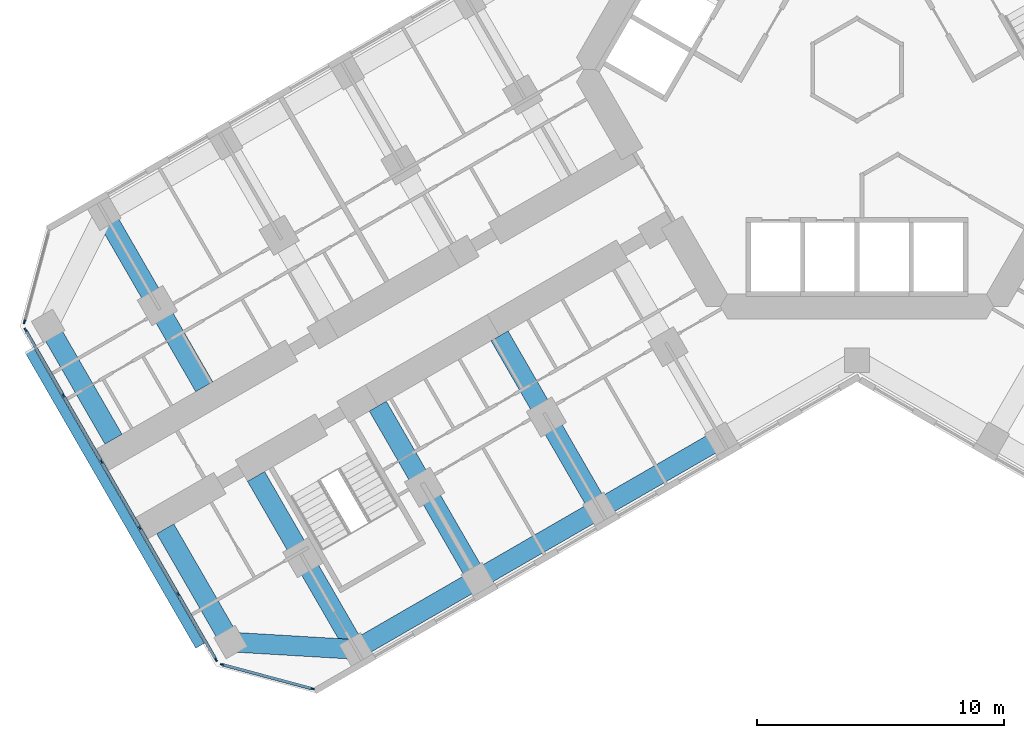
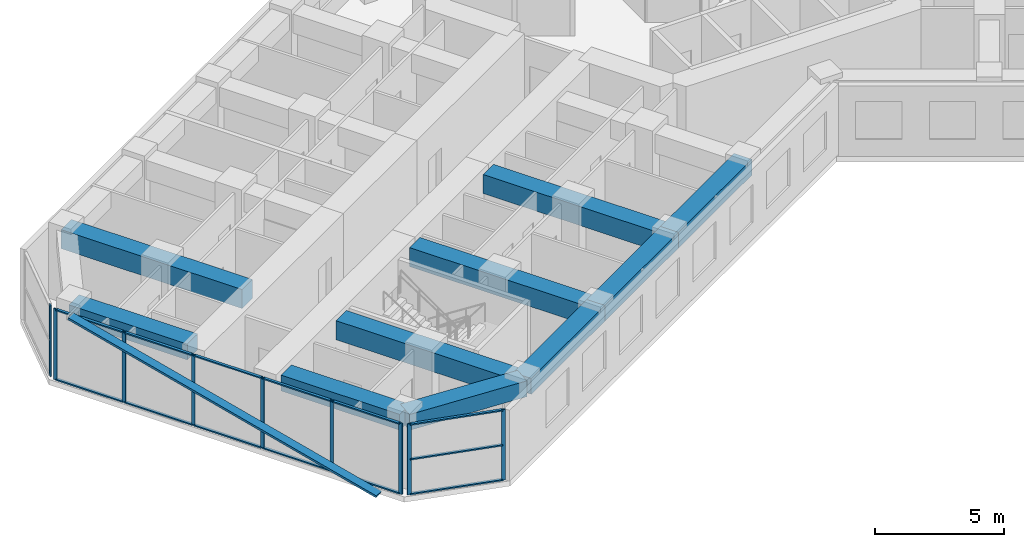
# One storey, part 2 of 21: 23 members, 10 beams, 3 elements without a shape of their own.
"""IFC4 building model written with IfcOpenShell, lengths in metres."""

from ifc_helpers import new_model, si_unit, direction, frame, origin, origin_2d, place, context, subcontext, project, spatial, rectangle, extrude, material, material_profile, profile_set, type_object, element, aggregate, save


model = new_model("IFC4")

# Units and contexts
model_context = context("Model", 3, precision=1e-05, world=origin(), true_north=direction((0.0, 1.0)))
body_context = subcontext(model_context, "Body", "Model", "MODEL_VIEW")
ifc_project = project(units=[si_unit("LENGTHUNIT", "METRE"), si_unit("AREAUNIT", "SQUARE_METRE"), si_unit("VOLUMEUNIT", "CUBIC_METRE"), si_unit("PLANEANGLEUNIT", "RADIAN"), si_unit("MASSUNIT", "GRAM", prefix="KILO")], contexts=[model_context])

# Site, building, storey
site_placement = place(None, origin())
site = spatial("IfcSite", under=ifc_project, at=site_placement, CompositionType="ELEMENT")
building_placement = place(site_placement, origin())
building = spatial("IfcBuilding", under=site, at=building_placement, Name="Kosmar Iwan School Tower", CompositionType="ELEMENT")
storey_placement = place(building_placement, frame((0.0, 0.0, 64.60009765625)))
storey = spatial("IfcBuildingStorey", under=building, at=storey_placement, Name="L15", CompositionType="ELEMENT", Elevation=64.60009765625)

# Member
ifc_material_1 = material(Name="Black anodised aluminium", Category="aluminium")
ifc_material_profile_1 = material_profile(ifc_material_1, rectangle(XDim=0.10009765625, YDim=0.39990234375, at=origin_2d()), Name="FIN 100x400")
ifc_profile_set_1 = profile_set([ifc_material_profile_1], Name="Black anodised aluminium")
member_type_1 = type_object("IfcMemberType", Name="Diagonal fin 100x400", PredefinedType="USERDEFINED", material=ifc_profile_set_1)
member_1_placement = place(storey_placement, frame((-26.645263671875, -23.34912109375, -0.150146484375), z_axis=(-0.483793446988, 0.837970316603, 0.25248692866), x_axis=(0.126241714543, -0.218661104574, 0.96760030532)))
element("IfcMember", 1, at=member_1_placement, inside=storey, type_object=member_type_1, Name="Diagonal fin L15-F13", ObjectType="FIN", PredefinedType="USERDEFINED", context=body_context, shape_type="SweptSolid", body=[
    extrude(rectangle(XDim=0.10009765625, YDim=0.39990234375, at=origin_2d()), origin(), (0.0, 0.0, 1.0), 14.258544921875),
])

# Curtain wall, member
ifc_material_2 = material(Name="Dark glass in black aluminium frame", Category="aluminium")
curtain_wall_type_1 = type_object("IfcCurtainWallType", Name="Chamfer curtain wall dark glass", PredefinedType="USERDEFINED", material=ifc_material_2)
curtain_wall_1_placement = place(storey_placement, origin())
curtain_wall_1 = element("IfcCurtainWall", 2, at=curtain_wall_1_placement, inside=storey, type_object=curtain_wall_type_1, Name="Curtain wall L15-F12", ObjectType="FACETED CURTAIN WALL", PredefinedType="USERDEFINED")
ifc_material_3 = material(Name="Black anodised aluminium", Category="aluminium")
ifc_material_profile_2 = material_profile(ifc_material_3, rectangle(XDim=0.06005859375, YDim=0.159912109375, at=origin_2d()), Name="MULLION 60x160")
ifc_profile_set_2 = profile_set([ifc_material_profile_2], Name="Black anodised aluminium")
member_type_2 = type_object("IfcMemberType", Name="Mullion 60x160", PredefinedType="MULLION", material=ifc_profile_set_2)
member_2_placement = place(storey_placement, frame((-33.7587890625, -10.2236328125, 0.0), z_axis=(0.0, 0.0, 1.0), x_axis=(0.965925875495, -0.258818861462, 0.0)))
member_2 = element("IfcMember", 3, at=member_2_placement, type_object=member_type_2, Name="CW2 mullion 2", PredefinedType="MULLION", context=body_context, shape_type="SweptSolid", body=[
    extrude(rectangle(XDim=0.06005859375, YDim=0.159912109375, at=origin_2d()), origin(), (0.0, 0.0, 1.0), 3.349853515625),
])
aggregate(curtain_wall_1, [member_2])

# Curtain wall, members
ifc_material_4 = material(Name="Dark glass in black aluminium frame", Category="aluminium")
curtain_wall_type_2 = type_object("IfcCurtainWallType", Name="Tower curtain wall dark glass", PredefinedType="USERDEFINED", material=ifc_material_4)
curtain_wall_2_placement = place(storey_placement, origin())
curtain_wall_2 = element("IfcCurtainWall", 4, at=curtain_wall_2_placement, inside=storey, type_object=curtain_wall_type_2, Name="Curtain wall L15-F13", ObjectType="UNITISED CURTAIN WALL", PredefinedType="USERDEFINED")
member_3_placement = place(storey_placement, frame((-33.71533203125, -10.55322265625, 0.0), z_axis=(0.0, 0.0, 1.0), x_axis=(0.866025405329, 0.499999997325, 0.0)))
member_3 = element("IfcMember", 5, at=member_3_placement, type_object=member_type_2, Name="CW1 mullion 1", PredefinedType="MULLION", context=body_context, shape_type="SweptSolid", body=[
    extrude(rectangle(XDim=0.06005859375, YDim=0.159912109375, at=origin_2d()), origin(), (0.0, 0.0, 1.0), 3.349853515625),
])
member_4_placement = place(storey_placement, frame((-32.1806640625, -13.21142578125, 0.0), z_axis=(0.0, 0.0, 1.0), x_axis=(0.866025405329, 0.499999997325, 0.0)))
member_4 = element("IfcMember", 6, at=member_4_placement, type_object=member_type_2, Name="CW1 mullion 2", PredefinedType="MULLION", context=body_context, shape_type="SweptSolid", body=[
    extrude(rectangle(XDim=0.06005859375, YDim=0.159912109375, at=origin_2d()), origin(), (0.0, 0.0, 1.0), 3.349853515625),
])
member_5_placement = place(storey_placement, frame((-30.631103515625, -15.8955078125, 0.0), z_axis=(0.0, 0.0, 1.0), x_axis=(0.866025405329, 0.499999997325, 0.0)))
member_5 = element("IfcMember", 7, at=member_5_placement, type_object=member_type_2, Name="CW1 mullion 3", PredefinedType="MULLION", context=body_context, shape_type="SweptSolid", body=[
    extrude(rectangle(XDim=0.06005859375, YDim=0.159912109375, at=origin_2d()), origin(), (0.0, 0.0, 1.0), 3.349853515625),
])
member_6_placement = place(storey_placement, frame((-29.081298828125, -18.57958984375, 0.0), z_axis=(0.0, 0.0, 1.0), x_axis=(0.866025405329, 0.499999997325, 0.0)))
member_6 = element("IfcMember", 8, at=member_6_placement, type_object=member_type_2, Name="CW1 mullion 4", PredefinedType="MULLION", context=body_context, shape_type="SweptSolid", body=[
    extrude(rectangle(XDim=0.06005859375, YDim=0.159912109375, at=origin_2d()), origin(), (0.0, 0.0, 1.0), 3.349853515625),
])
member_7_placement = place(storey_placement, frame((-27.53173828125, -21.263671875, 0.0), z_axis=(0.0, 0.0, 1.0), x_axis=(0.866025405329, 0.499999997325, 0.0)))
member_7 = element("IfcMember", 9, at=member_7_placement, type_object=member_type_2, Name="CW1 mullion 5", PredefinedType="MULLION", context=body_context, shape_type="SweptSolid", body=[
    extrude(rectangle(XDim=0.06005859375, YDim=0.159912109375, at=origin_2d()), origin(), (0.0, 0.0, 1.0), 3.349853515625),
])
member_8_placement = place(storey_placement, frame((-25.9970703125, -23.921630859375, 0.0), z_axis=(0.0, 0.0, 1.0), x_axis=(0.866025405329, 0.499999997325, 0.0)))
member_8 = element("IfcMember", 10, at=member_8_placement, type_object=member_type_2, Name="CW1 mullion 6", PredefinedType="MULLION", context=body_context, shape_type="SweptSolid", body=[
    extrude(rectangle(XDim=0.06005859375, YDim=0.159912109375, at=origin_2d()), origin(), (0.0, 0.0, 1.0), 3.349853515625),
])

curtain_wall_3_placement = place(storey_placement, origin())
curtain_wall_3 = element("IfcCurtainWall", 11, at=curtain_wall_3_placement, inside=storey, type_object=curtain_wall_type_1, Name="Curtain wall L15-F14", ObjectType="FACETED CURTAIN WALL", PredefinedType="USERDEFINED")
member_9_placement = place(storey_placement, frame((-25.733154296875, -24.124267578125, 0.0), z_axis=(0.0, 0.0, 1.0), x_axis=(0.258818861462, 0.965925875495, 0.0)))
member_9 = element("IfcMember", 12, at=member_9_placement, type_object=member_type_2, Name="CW2 mullion 1", PredefinedType="MULLION", context=body_context, shape_type="SweptSolid", body=[
    extrude(rectangle(XDim=0.06005859375, YDim=0.159912109375, at=origin_2d()), origin(), (0.0, 0.0, 1.0), 3.349853515625),
])
member_10_placement = place(storey_placement, frame((-22.0830078125, -25.102294921875, 0.0), z_axis=(0.0, 0.0, 1.0), x_axis=(0.258818861462, 0.965925875495, 0.0)))
member_10 = element("IfcMember", 13, at=member_10_placement, type_object=member_type_2, Name="CW2 mullion 2", PredefinedType="MULLION", context=body_context, shape_type="SweptSolid", body=[
    extrude(rectangle(XDim=0.06005859375, YDim=0.159912109375, at=origin_2d()), origin(), (0.0, 0.0, 1.0), 3.349853515625),
])

# Beams
ifc_material_5 = material(Name="Concrete C50/60", Category="concrete")
ifc_material_profile_3 = material_profile(ifc_material_5, rectangle(XDim=0.800048828125, YDim=0.75, at=origin_2d()), Name="RC 800x750")
ifc_profile_set_3 = profile_set([ifc_material_profile_3], Name="Concrete C50/60")
beam_type_1 = type_object("IfcBeamType", Name="RC edge beam 800x750", PredefinedType="BEAM", material=ifc_profile_set_3)
beam_1_placement = place(storey_placement, frame((-5.5087890625, -14.95849609375, 2.974853515625), z_axis=(-0.866033658841, -0.49998570155, 0.0), x_axis=(0.49998570155, -0.866033658841, 0.0)))
element("IfcBeam", 14, at=beam_1_placement, inside=storey, type_object=beam_type_1, Name="Edge beam BL2", PredefinedType="BEAM", context=body_context, shape_type="SweptSolid", body=[
    extrude(rectangle(XDim=0.800048828125, YDim=0.75, at=origin_2d()), origin(), (0.0, 0.0, 1.0), 5.699951171875),
])
beam_2_placement = place(storey_placement, frame((-10.445068359375, -17.808349609375, 2.974853515625), z_axis=(-0.866025820012, -0.499999279071, 0.0), x_axis=(0.499999279071, -0.866025820012, 0.0)))
element("IfcBeam", 15, at=beam_2_placement, inside=storey, type_object=beam_type_1, Name="Edge beam BL3", PredefinedType="BEAM", context=body_context, shape_type="SweptSolid", body=[
    extrude(rectangle(XDim=0.800048828125, YDim=0.75, at=origin_2d()), origin(), (0.0, 0.0, 1.0), 5.7001953125),
])
beam_3_placement = place(storey_placement, frame((-15.381591796875, -20.658447265625, 2.974853515625), z_axis=(-0.866015111908, -0.50001782563, 0.0), x_axis=(0.50001782563, -0.866015111908, 0.0)))
element("IfcBeam", 16, at=beam_3_placement, inside=storey, type_object=beam_type_1, Name="Edge beam BL4", PredefinedType="BEAM", context=body_context, shape_type="SweptSolid", body=[
    extrude(rectangle(XDim=0.800048828125, YDim=0.75, at=origin_2d()), origin(), (0.0, 0.0, 1.0), 5.699951171875),
])
ifc_material_6 = material(Name="Concrete C50/60", Category="concrete")
ifc_material_profile_4 = material_profile(ifc_material_6, rectangle(XDim=0.800048828125, YDim=0.75, at=origin_2d()), Name="RC 800x750")
ifc_profile_set_4 = profile_set([ifc_material_profile_4], Name="Concrete C50/60")
beam_type_2 = type_object("IfcBeamType", Name="RC tip beam 800x750", PredefinedType="BEAM", material=ifc_profile_set_4)
beam_4_placement = place(storey_placement, frame((-20.31787109375, -23.508544921875, 2.974853515625), z_axis=(-0.998260616478, 0.058955420358, 0.0), x_axis=(-0.058955420358, -0.998260616478, 0.0)))
element("IfcBeam", 17, at=beam_4_placement, inside=storey, type_object=beam_type_2, Name="Tip beam BL", PredefinedType="BEAM", context=body_context, shape_type="SweptSolid", body=[
    extrude(rectangle(XDim=0.800048828125, YDim=0.75, at=origin_2d()), origin(), (0.0, 0.0, 1.0), 5.08935546875),
])
beam_5_placement = place(storey_placement, frame((-25.3984375, -23.20849609375, 2.974853515625), z_axis=(-0.499993606316, 0.866029095148, 0.0), x_axis=(-0.866029095148, -0.499993606316, 0.0)))
element("IfcBeam", 18, at=beam_5_placement, inside=storey, type_object=beam_type_2, Name="Tip beam BL to corridor wall", PredefinedType="BEAM", context=body_context, shape_type="SweptSolid", body=[
    extrude(rectangle(XDim=0.800048828125, YDim=0.75, at=origin_2d()), origin(), (0.0, 0.0, 1.0), 5.2998046875),
])
beam_6_placement = place(storey_placement, frame((-32.79833984375, -10.391357421875, 2.974853515625), z_axis=(0.499973660256, -0.866040610509, 0.0), x_axis=(0.866040610509, 0.499973660256, 0.0)))
element("IfcBeam", 19, at=beam_6_placement, inside=storey, type_object=beam_type_2, Name="Tip beam BR to corridor wall", PredefinedType="BEAM", context=body_context, shape_type="SweptSolid", body=[
    extrude(rectangle(XDim=0.800048828125, YDim=0.75, at=origin_2d()), origin(), (0.0, 0.0, 1.0), 5.300048828125),
])
ifc_material_7 = material(Name="Concrete C50/60", Category="concrete")
ifc_material_profile_5 = material_profile(ifc_material_7, rectangle(XDim=0.800048828125, YDim=0.89990234375, at=origin_2d()), Name="RC 800x900")
ifc_profile_set_5 = profile_set([ifc_material_profile_5], Name="Concrete C50/60")
beam_type_3 = type_object("IfcBeamType", Name="RC transverse beam 800x900", PredefinedType="BEAM", material=ifc_profile_set_5)
beam_7_placement = place(storey_placement, frame((-10.445068359375, -17.808349609375, 2.89990234375), z_axis=(-0.500012932018, 0.866017937352, 0.0), x_axis=(-0.866017937352, -0.500012932018, 0.0)))
element("IfcBeam", 20, at=beam_7_placement, inside=storey, type_object=beam_type_3, Name="Transverse beam BL2", PredefinedType="BEAM", context=body_context, shape_type="SweptSolid", body=[
    extrude(rectangle(XDim=0.800048828125, YDim=0.89990234375, at=origin_2d()), origin(), (0.0, 0.0, 1.0), 8.099853515625),
])
for number, where, z_axis, x_axis, name in (
    (21, (-15.381591796875, -20.658447265625, 2.89990234375), (-0.499977274689, 0.866038523851, 0.0), (-0.866038523851, -0.499977274689, 0.0), "Transverse beam BL3"),
    (22, (-20.31787109375, -23.508544921875, 2.89990234375), (-0.499999880539, 0.866025472755, 0.0), (-0.866025472755, -0.499999880539, 0.0), "Transverse beam BL4"),
    (23, (-30.517822265625, -5.841552734375, 2.89990234375), (0.499999880539, -0.866025472755, 0.0), (0.866025472755, 0.499999880539, 0.0), "Transverse beam BR4"),
):
    element("IfcBeam", number, at=place(storey_placement, frame(where, z_axis=z_axis, x_axis=x_axis)), inside=storey, type_object=beam_type_3, Name=name, PredefinedType="BEAM", context=body_context, shape_type="SweptSolid", body=[
        extrude(rectangle(XDim=0.800048828125, YDim=0.89990234375, at=origin_2d()), origin(), (0.0, 0.0, 1.0), 8.10009765625),
    ])

# Member
ifc_material_8 = material(Name="Black anodised aluminium", Category="aluminium")
ifc_material_profile_6 = material_profile(ifc_material_8, rectangle(XDim=0.1201171875, YDim=0.06005859375, at=origin_2d()), Name="TRANSOM 60x120")
ifc_profile_set_6 = profile_set([ifc_material_profile_6], Name="Black anodised aluminium")
member_type_3 = type_object("IfcMemberType", Name="Transom 60x120", PredefinedType="USERDEFINED", material=ifc_profile_set_6)
member_11_placement = place(storey_placement, frame((-33.700439453125, -10.579345703125, 0.02978515625), z_axis=(0.500022102064, -0.866012642776, 0.0), x_axis=(0.866012642776, 0.500022102064, 0.0)))
member_11 = element("IfcMember", 24, at=member_11_placement, type_object=member_type_3, Name="CW1 transom 1.1", ObjectType="TRANSOM", PredefinedType="USERDEFINED", context=body_context, shape_type="SweptSolid", body=[
    extrude(rectangle(XDim=0.1201171875, YDim=0.06005859375, at=origin_2d()), origin(), (0.0, 0.0, 1.0), 3.009033203125),
])

member_12_placement = place(storey_placement, frame((-33.700439453125, -10.579345703125, 3.31982421875), z_axis=(0.500022102064, -0.866012642776, 0.0), x_axis=(0.866012642776, 0.500022102064, 0.0)))
member_12 = element("IfcMember", 25, at=member_12_placement, type_object=member_type_3, Name="CW1 transom 1.2", ObjectType="TRANSOM", PredefinedType="USERDEFINED", context=body_context, shape_type="SweptSolid", body=[
    extrude(rectangle(XDim=0.1201171875, YDim=0.06005859375, at=origin_2d()), origin(), (0.0, 0.0, 1.0), 3.009033203125),
])

member_13_placement = place(storey_placement, frame((-32.165771484375, -13.2373046875, 0.02978515625), z_axis=(0.500035348339, -0.866004994449, 0.0), x_axis=(0.866004994449, 0.500035348339, 0.0)))
member_13 = element("IfcMember", 26, at=member_13_placement, type_object=member_type_3, Name="CW1 transom 2.1", ObjectType="TRANSOM", PredefinedType="USERDEFINED", context=body_context, shape_type="SweptSolid", body=[
    extrude(rectangle(XDim=0.1201171875, YDim=0.06005859375, at=origin_2d()), origin(), (0.0, 0.0, 1.0), 3.039306640625),
])

member_14_placement = place(storey_placement, frame((-32.165771484375, -13.2373046875, 3.31982421875), z_axis=(0.500035348339, -0.866004994449, 0.0), x_axis=(0.866004994449, 0.500035348339, 0.0)))
member_14 = element("IfcMember", 27, at=member_14_placement, type_object=member_type_3, Name="CW1 transom 2.2", ObjectType="TRANSOM", PredefinedType="USERDEFINED", context=body_context, shape_type="SweptSolid", body=[
    extrude(rectangle(XDim=0.1201171875, YDim=0.06005859375, at=origin_2d()), origin(), (0.0, 0.0, 1.0), 3.039306640625),
])

member_15_placement = place(storey_placement, frame((-30.615966796875, -15.92138671875, 0.02978515625), z_axis=(0.499975102327, -0.866039777986, 0.0), x_axis=(0.866039777986, 0.499975102327, 0.0)))
member_15 = element("IfcMember", 28, at=member_15_placement, type_object=member_type_3, Name="CW1 transom 3.1", ObjectType="TRANSOM", PredefinedType="USERDEFINED", context=body_context, shape_type="SweptSolid", body=[
    extrude(rectangle(XDim=0.1201171875, YDim=0.06005859375, at=origin_2d()), origin(), (0.0, 0.0, 1.0), 3.039306640625),
])

member_16_placement = place(storey_placement, frame((-30.615966796875, -15.92138671875, 3.31982421875), z_axis=(0.499975102327, -0.866039777986, 0.0), x_axis=(0.866039777986, 0.499975102327, 0.0)))
member_16 = element("IfcMember", 29, at=member_16_placement, type_object=member_type_3, Name="CW1 transom 3.2", ObjectType="TRANSOM", PredefinedType="USERDEFINED", context=body_context, shape_type="SweptSolid", body=[
    extrude(rectangle(XDim=0.1201171875, YDim=0.06005859375, at=origin_2d()), origin(), (0.0, 0.0, 1.0), 3.039306640625),
])

member_17_placement = place(storey_placement, frame((-29.06640625, -18.60546875, 0.02978515625), z_axis=(0.499975102327, -0.866039777986, 0.0), x_axis=(0.866039777986, 0.499975102327, 0.0)))
member_17 = element("IfcMember", 30, at=member_17_placement, type_object=member_type_3, Name="CW1 transom 4.1", ObjectType="TRANSOM", PredefinedType="USERDEFINED", context=body_context, shape_type="SweptSolid", body=[
    extrude(rectangle(XDim=0.1201171875, YDim=0.06005859375, at=origin_2d()), origin(), (0.0, 0.0, 1.0), 3.039306640625),
])

member_18_placement = place(storey_placement, frame((-29.06640625, -18.60546875, 3.31982421875), z_axis=(0.499975102327, -0.866039777986, 0.0), x_axis=(0.866039777986, 0.499975102327, 0.0)))
member_18 = element("IfcMember", 31, at=member_18_placement, type_object=member_type_3, Name="CW1 transom 4.2", ObjectType="TRANSOM", PredefinedType="USERDEFINED", context=body_context, shape_type="SweptSolid", body=[
    extrude(rectangle(XDim=0.1201171875, YDim=0.06005859375, at=origin_2d()), origin(), (0.0, 0.0, 1.0), 3.039306640625),
])

member_19_placement = place(storey_placement, frame((-27.516845703125, -21.28955078125, 0.02978515625), z_axis=(0.499986971506, -0.866032925658, 0.0), x_axis=(0.866032925658, 0.499986971506, 0.0)))
member_19 = element("IfcMember", 32, at=member_19_placement, type_object=member_type_3, Name="CW1 transom 5.1", ObjectType="TRANSOM", PredefinedType="USERDEFINED", context=body_context, shape_type="SweptSolid", body=[
    extrude(rectangle(XDim=0.1201171875, YDim=0.06005859375, at=origin_2d()), origin(), (0.0, 0.0, 1.0), 3.00927734375),
])

member_20_placement = place(storey_placement, frame((-27.516845703125, -21.28955078125, 3.31982421875), z_axis=(0.499986971506, -0.866032925658, 0.0), x_axis=(0.866032925658, 0.499986971506, 0.0)))
member_20 = element("IfcMember", 33, at=member_20_placement, type_object=member_type_3, Name="CW1 transom 5.2", ObjectType="TRANSOM", PredefinedType="USERDEFINED", context=body_context, shape_type="SweptSolid", body=[
    extrude(rectangle(XDim=0.1201171875, YDim=0.06005859375, at=origin_2d()), origin(), (0.0, 0.0, 1.0), 3.00927734375),
])

aggregate(curtain_wall_2, [member_3, member_4, member_5, member_6, member_7, member_8, member_11, member_12, member_13, member_14, member_15, member_16, member_17, member_18, member_19, member_20])

member_21_placement = place(storey_placement, frame((-25.704345703125, -24.1318359375, 0.02978515625), z_axis=(0.965923731726, -0.258826861991, 0.0), x_axis=(0.258826861991, 0.965923731726, 0.0)))
member_21 = element("IfcMember", 34, at=member_21_placement, type_object=member_type_3, Name="CW2 transom 1.1", ObjectType="TRANSOM", PredefinedType="USERDEFINED", context=body_context, shape_type="SweptSolid", body=[
    extrude(rectangle(XDim=0.1201171875, YDim=0.06005859375, at=origin_2d()), origin(), (0.0, 0.0, 1.0), 3.71923828125),
])

member_22_placement = place(storey_placement, frame((-25.704345703125, -24.1318359375, 1.6748046875), z_axis=(0.965923731726, -0.258826861991, 0.0), x_axis=(0.258826861991, 0.965923731726, 0.0)))
member_22 = element("IfcMember", 35, at=member_22_placement, type_object=member_type_3, Name="CW2 transom 1.2", ObjectType="TRANSOM", PredefinedType="USERDEFINED", context=body_context, shape_type="SweptSolid", body=[
    extrude(rectangle(XDim=0.1201171875, YDim=0.06005859375, at=origin_2d()), origin(), (0.0, 0.0, 1.0), 3.71923828125),
])

member_23_placement = place(storey_placement, frame((-25.704345703125, -24.1318359375, 3.31982421875), z_axis=(0.965923731726, -0.258826861991, 0.0), x_axis=(0.258826861991, 0.965923731726, 0.0)))
member_23 = element("IfcMember", 36, at=member_23_placement, type_object=member_type_3, Name="CW2 transom 1.3", ObjectType="TRANSOM", PredefinedType="USERDEFINED", context=body_context, shape_type="SweptSolid", body=[
    extrude(rectangle(XDim=0.1201171875, YDim=0.06005859375, at=origin_2d()), origin(), (0.0, 0.0, 1.0), 3.71923828125),
])

aggregate(curtain_wall_3, [member_9, member_10, member_21, member_22, member_23])

save(model, "model.ifc")
